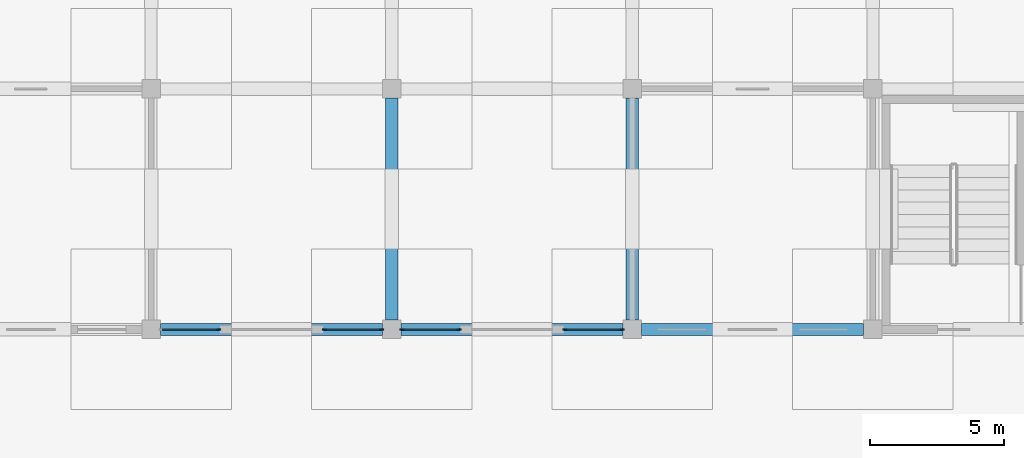
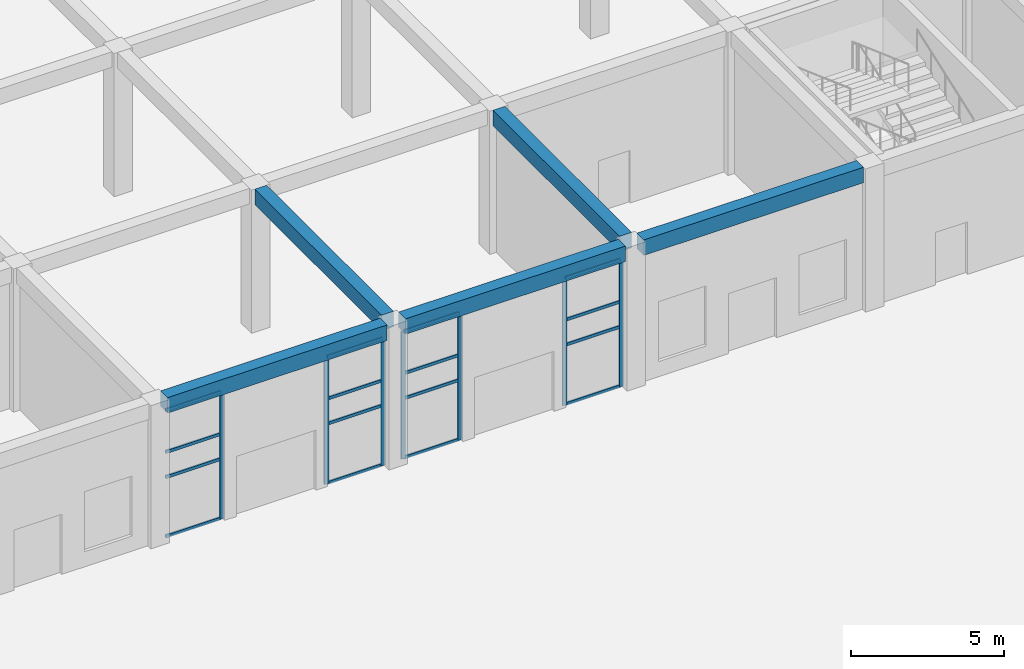
# One storey, part 8 of 44: 23 members, 5 beams, 4 elements without a shape of their own.
"""IFC4 building model written with IfcOpenShell, lengths in metres."""

from ifc_helpers import new_model, si_unit, direction, frame, origin, origin_2d, place, context, subcontext, project, spatial, rectangle, extrude, material, layer, layer_set, material_profile, profile_set, type_object, element, aggregate, save


model = new_model("IFC4")

# Units and contexts
model_context = context("Model", 3, precision=1e-05, world=origin(), true_north=direction((0.0, 1.0)))
body_context = subcontext(model_context, "Body", "Model", "MODEL_VIEW")
ifc_project = project(units=[si_unit("LENGTHUNIT", "METRE"), si_unit("AREAUNIT", "SQUARE_METRE"), si_unit("VOLUMEUNIT", "CUBIC_METRE"), si_unit("PLANEANGLEUNIT", "RADIAN"), si_unit("MASSUNIT", "GRAM", prefix="KILO")], contexts=[model_context])

# Site, building, storey
site_placement = place(None, origin())
site = spatial("IfcSite", under=ifc_project, at=site_placement, CompositionType="ELEMENT")
building_placement = place(site_placement, origin())
building = spatial("IfcBuilding", under=site, at=building_placement, Name="Dhurran Vertical Campus", CompositionType="ELEMENT")
storey_placement = place(building_placement, origin())
storey = spatial("IfcBuildingStorey", under=building, at=storey_placement, Name="L00", CompositionType="ELEMENT", Elevation=0.0)

# Curtain wall, member
ifc_material_1 = material(Name="Aluminium", Category="aluminium")
ifc_layer = layer(ifc_material_1, 0.159912109375)
ifc_layer_set = layer_set([ifc_layer], Name="Aluminium")
curtain_wall_type = type_object("IfcCurtainWallType", Name="hl-curtain wall system", PredefinedType="NOTDEFINED", material=ifc_layer_set)
curtain_wall_1_placement = place(storey_placement, origin())
curtain_wall_1 = element("IfcCurtainWall", 1, at=curtain_wall_1_placement, inside=storey, type_object=curtain_wall_type, Name="Hall curtain wall L00-01", PredefinedType="NOTDEFINED")
ifc_material_2 = material(Name="Aluminium", Category="aluminium")
ifc_material_profile_1 = material_profile(ifc_material_2, rectangle(XDim=0.06005859375, YDim=0.159912109375, at=origin_2d()), Name="hl-cw mullion 60x160")
ifc_profile_set_1 = profile_set([ifc_material_profile_1], Name="Aluminium")
member_type_1 = type_object("IfcMemberType", Name="hl-cw mullion 60x160", PredefinedType="MULLION", material=ifc_profile_set_1)
member_1_placement = place(storey_placement, frame((91.02001953125, -27.0, 0.0), z_axis=(0.0, 0.0, 1.0), x_axis=(0.0, 1.0, 0.0)))
member_1 = element("IfcMember", 2, at=member_1_placement, type_object=member_type_1, Name="HCW mullion 2", PredefinedType="MULLION", context=body_context, shape_type="SweptSolid", body=[
    extrude(rectangle(XDim=0.06005859375, YDim=0.159912109375, at=origin_2d()), origin(), (0.0, 0.0, 1.0), 5.10009765625),
])

# Curtain wall, members
curtain_wall_2_placement = place(storey_placement, origin())
curtain_wall_2 = element("IfcCurtainWall", 3, at=curtain_wall_2_placement, inside=storey, type_object=curtain_wall_type, Name="Hall curtain wall L00-02", PredefinedType="NOTDEFINED")
member_2_placement = place(storey_placement, frame((94.97998046875, -27.0, 0.0), z_axis=(0.0, 0.0, 1.0), x_axis=(0.0, 1.0, 0.0)))
member_2 = element("IfcMember", 4, at=member_2_placement, type_object=member_type_1, Name="HCW mullion 1", PredefinedType="MULLION", context=body_context, shape_type="SweptSolid", body=[
    extrude(rectangle(XDim=0.06005859375, YDim=0.159912109375, at=origin_2d()), origin(), (0.0, 0.0, 1.0), 5.10009765625),
])
member_3_placement = place(storey_placement, frame((97.1201171875, -27.0, 0.0), z_axis=(0.0, 0.0, 1.0), x_axis=(0.0, 1.0, 0.0)))
member_3 = element("IfcMember", 5, at=member_3_placement, type_object=member_type_1, Name="HCW mullion 2", PredefinedType="MULLION", context=body_context, shape_type="SweptSolid", body=[
    extrude(rectangle(XDim=0.06005859375, YDim=0.159912109375, at=origin_2d()), origin(), (0.0, 0.0, 1.0), 5.10009765625),
])

curtain_wall_3_placement = place(storey_placement, origin())
curtain_wall_3 = element("IfcCurtainWall", 6, at=curtain_wall_3_placement, inside=storey, type_object=curtain_wall_type, Name="Hall curtain wall L00-03", PredefinedType="NOTDEFINED")
member_4_placement = place(storey_placement, frame((97.8798828125, -27.0, 0.0), z_axis=(0.0, 0.0, 1.0), x_axis=(0.0, 1.0, 0.0)))
member_4 = element("IfcMember", 7, at=member_4_placement, type_object=member_type_1, Name="HCW mullion 1", PredefinedType="MULLION", context=body_context, shape_type="SweptSolid", body=[
    extrude(rectangle(XDim=0.06005859375, YDim=0.159912109375, at=origin_2d()), origin(), (0.0, 0.0, 1.0), 5.10009765625),
])
member_5_placement = place(storey_placement, frame((100.02001953125, -27.0, 0.0), z_axis=(0.0, 0.0, 1.0), x_axis=(0.0, 1.0, 0.0)))
member_5 = element("IfcMember", 8, at=member_5_placement, type_object=member_type_1, Name="HCW mullion 2", PredefinedType="MULLION", context=body_context, shape_type="SweptSolid", body=[
    extrude(rectangle(XDim=0.06005859375, YDim=0.159912109375, at=origin_2d()), origin(), (0.0, 0.0, 1.0), 5.10009765625),
])

curtain_wall_4_placement = place(storey_placement, origin())
curtain_wall_4 = element("IfcCurtainWall", 9, at=curtain_wall_4_placement, inside=storey, type_object=curtain_wall_type, Name="Hall curtain wall L00-04", PredefinedType="NOTDEFINED")
member_6_placement = place(storey_placement, frame((103.97998046875, -27.0, 0.0), z_axis=(0.0, 0.0, 1.0), x_axis=(0.0, 1.0, 0.0)))
member_6 = element("IfcMember", 10, at=member_6_placement, type_object=member_type_1, Name="HCW mullion 1", PredefinedType="MULLION", context=body_context, shape_type="SweptSolid", body=[
    extrude(rectangle(XDim=0.06005859375, YDim=0.159912109375, at=origin_2d()), origin(), (0.0, 0.0, 1.0), 5.10009765625),
])
member_7_placement = place(storey_placement, frame((106.1201171875, -27.0, 0.0), z_axis=(0.0, 0.0, 1.0), x_axis=(0.0, 1.0, 0.0)))
member_7 = element("IfcMember", 11, at=member_7_placement, type_object=member_type_1, Name="HCW mullion 2", PredefinedType="MULLION", context=body_context, shape_type="SweptSolid", body=[
    extrude(rectangle(XDim=0.06005859375, YDim=0.159912109375, at=origin_2d()), origin(), (0.0, 0.0, 1.0), 5.10009765625),
])

# Member
ifc_material_3 = material(Name="Aluminium", Category="aluminium")
ifc_material_profile_2 = material_profile(ifc_material_3, rectangle(XDim=0.06005859375, YDim=0.1201171875, at=origin_2d()), Name="hl-cw transom 60x120")
ifc_profile_set_2 = profile_set([ifc_material_profile_2], Name="Aluminium")
member_type_2 = type_object("IfcMemberType", Name="hl-cw transom 60x120", PredefinedType="USERDEFINED", material=ifc_profile_set_2)
member_8_placement = place(storey_placement, frame((88.909912109375, -27.0, 0.030029296875), z_axis=(1.0, 0.0, 0.0), x_axis=(0.0, 1.0, 0.0)))
member_8 = element("IfcMember", 12, at=member_8_placement, type_object=member_type_2, Name="HCW transom 1.1", ObjectType="TRANSOM", PredefinedType="USERDEFINED", context=body_context, shape_type="SweptSolid", body=[
    extrude(rectangle(XDim=0.06005859375, YDim=0.1201171875, at=origin_2d()), origin(), (0.0, 0.0, 1.0), 2.080078125),
])

member_9_placement = place(storey_placement, frame((88.909912109375, -27.0, 2.39990234375), z_axis=(1.0, 0.0, 0.0), x_axis=(0.0, 1.0, 0.0)))
member_9 = element("IfcMember", 13, at=member_9_placement, type_object=member_type_2, Name="HCW transom 1.2", ObjectType="TRANSOM", PredefinedType="USERDEFINED", context=body_context, shape_type="SweptSolid", body=[
    extrude(rectangle(XDim=0.06005859375, YDim=0.1201171875, at=origin_2d()), origin(), (0.0, 0.0, 1.0), 2.080078125),
])

member_10_placement = place(storey_placement, frame((88.909912109375, -27.0, 3.39990234375), z_axis=(1.0, 0.0, 0.0), x_axis=(0.0, 1.0, 0.0)))
member_10 = element("IfcMember", 14, at=member_10_placement, type_object=member_type_2, Name="HCW transom 1.3", ObjectType="TRANSOM", PredefinedType="USERDEFINED", context=body_context, shape_type="SweptSolid", body=[
    extrude(rectangle(XDim=0.06005859375, YDim=0.1201171875, at=origin_2d()), origin(), (0.0, 0.0, 1.0), 2.080078125),
])

member_11_placement = place(storey_placement, frame((88.909912109375, -27.0, 5.070068359375), z_axis=(1.0, 0.0, 0.0), x_axis=(0.0, 1.0, 0.0)))
member_11 = element("IfcMember", 15, at=member_11_placement, type_object=member_type_2, Name="HCW transom 1.4", ObjectType="TRANSOM", PredefinedType="USERDEFINED", context=body_context, shape_type="SweptSolid", body=[
    extrude(rectangle(XDim=0.06005859375, YDim=0.1201171875, at=origin_2d()), origin(), (0.0, 0.0, 1.0), 2.080078125),
])

aggregate(curtain_wall_1, [member_1, member_8, member_9, member_10, member_11])

member_12_placement = place(storey_placement, frame((95.010009765625, -27.0, 0.030029296875), z_axis=(1.0, 0.0, 0.0), x_axis=(0.0, 1.0, 0.0)))
member_12 = element("IfcMember", 16, at=member_12_placement, type_object=member_type_2, Name="HCW transom 1.1", ObjectType="TRANSOM", PredefinedType="USERDEFINED", context=body_context, shape_type="SweptSolid", body=[
    extrude(rectangle(XDim=0.06005859375, YDim=0.1201171875, at=origin_2d()), origin(), (0.0, 0.0, 1.0), 2.080078125),
])

member_13_placement = place(storey_placement, frame((95.010009765625, -27.0, 2.39990234375), z_axis=(1.0, 0.0, 0.0), x_axis=(0.0, 1.0, 0.0)))
member_13 = element("IfcMember", 17, at=member_13_placement, type_object=member_type_2, Name="HCW transom 1.2", ObjectType="TRANSOM", PredefinedType="USERDEFINED", context=body_context, shape_type="SweptSolid", body=[
    extrude(rectangle(XDim=0.06005859375, YDim=0.1201171875, at=origin_2d()), origin(), (0.0, 0.0, 1.0), 2.080078125),
])

member_14_placement = place(storey_placement, frame((95.010009765625, -27.0, 3.39990234375), z_axis=(1.0, 0.0, 0.0), x_axis=(0.0, 1.0, 0.0)))
member_14 = element("IfcMember", 18, at=member_14_placement, type_object=member_type_2, Name="HCW transom 1.3", ObjectType="TRANSOM", PredefinedType="USERDEFINED", context=body_context, shape_type="SweptSolid", body=[
    extrude(rectangle(XDim=0.06005859375, YDim=0.1201171875, at=origin_2d()), origin(), (0.0, 0.0, 1.0), 2.080078125),
])

member_15_placement = place(storey_placement, frame((95.010009765625, -27.0, 5.070068359375), z_axis=(1.0, 0.0, 0.0), x_axis=(0.0, 1.0, 0.0)))
member_15 = element("IfcMember", 19, at=member_15_placement, type_object=member_type_2, Name="HCW transom 1.4", ObjectType="TRANSOM", PredefinedType="USERDEFINED", context=body_context, shape_type="SweptSolid", body=[
    extrude(rectangle(XDim=0.06005859375, YDim=0.1201171875, at=origin_2d()), origin(), (0.0, 0.0, 1.0), 2.080078125),
])

aggregate(curtain_wall_2, [member_2, member_3, member_12, member_13, member_14, member_15])

member_16_placement = place(storey_placement, frame((97.909912109375, -27.0, 0.030029296875), z_axis=(1.0, 0.0, 0.0), x_axis=(0.0, 1.0, 0.0)))
member_16 = element("IfcMember", 20, at=member_16_placement, type_object=member_type_2, Name="HCW transom 1.1", ObjectType="TRANSOM", PredefinedType="USERDEFINED", context=body_context, shape_type="SweptSolid", body=[
    extrude(rectangle(XDim=0.06005859375, YDim=0.1201171875, at=origin_2d()), origin(), (0.0, 0.0, 1.0), 2.080078125),
])

member_17_placement = place(storey_placement, frame((97.909912109375, -27.0, 2.39990234375), z_axis=(1.0, 0.0, 0.0), x_axis=(0.0, 1.0, 0.0)))
member_17 = element("IfcMember", 21, at=member_17_placement, type_object=member_type_2, Name="HCW transom 1.2", ObjectType="TRANSOM", PredefinedType="USERDEFINED", context=body_context, shape_type="SweptSolid", body=[
    extrude(rectangle(XDim=0.06005859375, YDim=0.1201171875, at=origin_2d()), origin(), (0.0, 0.0, 1.0), 2.080078125),
])

member_18_placement = place(storey_placement, frame((97.909912109375, -27.0, 3.39990234375), z_axis=(1.0, 0.0, 0.0), x_axis=(0.0, 1.0, 0.0)))
member_18 = element("IfcMember", 22, at=member_18_placement, type_object=member_type_2, Name="HCW transom 1.3", ObjectType="TRANSOM", PredefinedType="USERDEFINED", context=body_context, shape_type="SweptSolid", body=[
    extrude(rectangle(XDim=0.06005859375, YDim=0.1201171875, at=origin_2d()), origin(), (0.0, 0.0, 1.0), 2.080078125),
])

member_19_placement = place(storey_placement, frame((97.909912109375, -27.0, 5.070068359375), z_axis=(1.0, 0.0, 0.0), x_axis=(0.0, 1.0, 0.0)))
member_19 = element("IfcMember", 23, at=member_19_placement, type_object=member_type_2, Name="HCW transom 1.4", ObjectType="TRANSOM", PredefinedType="USERDEFINED", context=body_context, shape_type="SweptSolid", body=[
    extrude(rectangle(XDim=0.06005859375, YDim=0.1201171875, at=origin_2d()), origin(), (0.0, 0.0, 1.0), 2.080078125),
])

aggregate(curtain_wall_3, [member_4, member_5, member_16, member_17, member_18, member_19])

member_20_placement = place(storey_placement, frame((104.010009765625, -27.0, 0.030029296875), z_axis=(1.0, 0.0, 0.0), x_axis=(0.0, 1.0, 0.0)))
member_20 = element("IfcMember", 24, at=member_20_placement, type_object=member_type_2, Name="HCW transom 1.1", ObjectType="TRANSOM", PredefinedType="USERDEFINED", context=body_context, shape_type="SweptSolid", body=[
    extrude(rectangle(XDim=0.06005859375, YDim=0.1201171875, at=origin_2d()), origin(), (0.0, 0.0, 1.0), 2.080078125),
])

member_21_placement = place(storey_placement, frame((104.010009765625, -27.0, 2.39990234375), z_axis=(1.0, 0.0, 0.0), x_axis=(0.0, 1.0, 0.0)))
member_21 = element("IfcMember", 25, at=member_21_placement, type_object=member_type_2, Name="HCW transom 1.2", ObjectType="TRANSOM", PredefinedType="USERDEFINED", context=body_context, shape_type="SweptSolid", body=[
    extrude(rectangle(XDim=0.06005859375, YDim=0.1201171875, at=origin_2d()), origin(), (0.0, 0.0, 1.0), 2.080078125),
])

member_22_placement = place(storey_placement, frame((104.010009765625, -27.0, 3.39990234375), z_axis=(1.0, 0.0, 0.0), x_axis=(0.0, 1.0, 0.0)))
member_22 = element("IfcMember", 26, at=member_22_placement, type_object=member_type_2, Name="HCW transom 1.3", ObjectType="TRANSOM", PredefinedType="USERDEFINED", context=body_context, shape_type="SweptSolid", body=[
    extrude(rectangle(XDim=0.06005859375, YDim=0.1201171875, at=origin_2d()), origin(), (0.0, 0.0, 1.0), 2.080078125),
])

member_23_placement = place(storey_placement, frame((104.010009765625, -27.0, 5.070068359375), z_axis=(1.0, 0.0, 0.0), x_axis=(0.0, 1.0, 0.0)))
member_23 = element("IfcMember", 27, at=member_23_placement, type_object=member_type_2, Name="HCW transom 1.4", ObjectType="TRANSOM", PredefinedType="USERDEFINED", context=body_context, shape_type="SweptSolid", body=[
    extrude(rectangle(XDim=0.06005859375, YDim=0.1201171875, at=origin_2d()), origin(), (0.0, 0.0, 1.0), 2.080078125),
])

aggregate(curtain_wall_4, [member_6, member_7, member_20, member_21, member_22, member_23])

# Beams
ifc_material_4 = material(Name="Concrete C40/50", Category="concrete")
ifc_material_profile_3 = material_profile(ifc_material_4, rectangle(XDim=0.449951171875, YDim=0.6201171875, at=origin_2d()), Name="hl-girder 450x620")
ifc_profile_set_3 = profile_set([ifc_material_profile_3], Name="Concrete C40/50")
beam_type = type_object("IfcBeamType", Name="hl-girder 450x620", PredefinedType="BEAM", material=ifc_profile_set_3)
for number, where, z_axis, x_axis, name in (
    (28, (88.85009765625, -27.0, 5.409912109375), (1.0, 0.0, 0.0), (0.0, 1.0, 0.0), "Hall girder L00-039"),
    (29, (97.5, -26.64990234375, 5.409912109375), (0.0, 1.0, 0.0), (-1.0, 0.0, 0.0), "Hall girder L00-051"),
    (30, (97.85009765625, -27.0, 5.409912109375), (1.0, 0.0, 0.0), (0.0, 1.0, 0.0), "Hall girder L00-052"),
    (31, (106.5, -26.64990234375, 5.409912109375), (0.0, 1.0, 0.0), (-1.0, 0.0, 0.0), "Hall girder L00-064"),
    (32, (106.85009765625, -27.0, 5.409912109375), (1.0, 0.0, 0.0), (0.0, 1.0, 0.0), "Hall girder L00-065"),
):
    element("IfcBeam", number, at=place(storey_placement, frame(where, z_axis=z_axis, x_axis=x_axis)), inside=storey, type_object=beam_type, Name=name, PredefinedType="BEAM", context=body_context, shape_type="SweptSolid", body=[
        extrude(rectangle(XDim=0.449951171875, YDim=0.6201171875, at=origin_2d()), origin(), (0.0, 0.0, 1.0), 8.2998046875),
    ])

save(model, "model.ifc")
